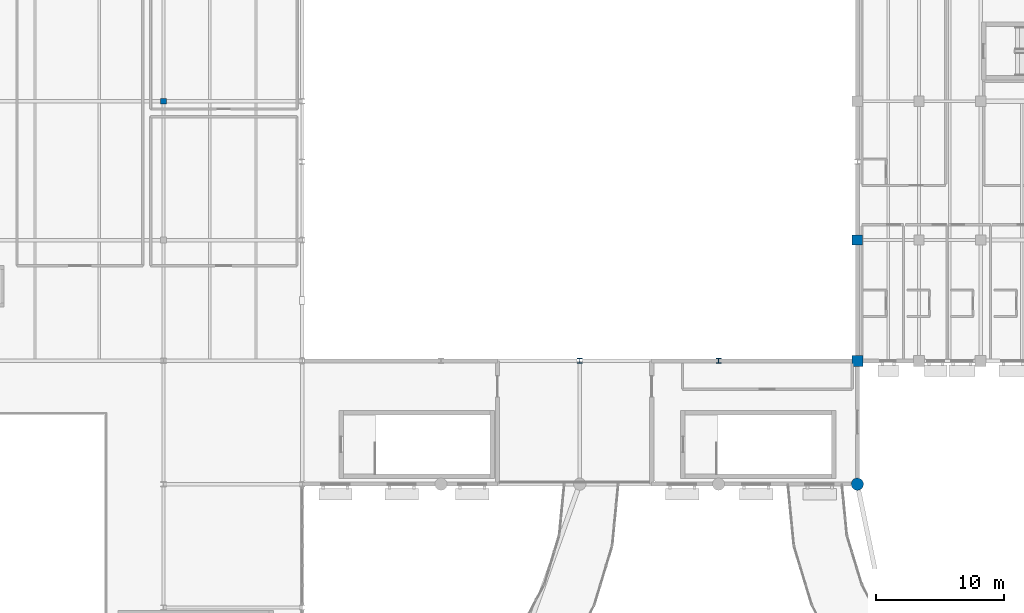
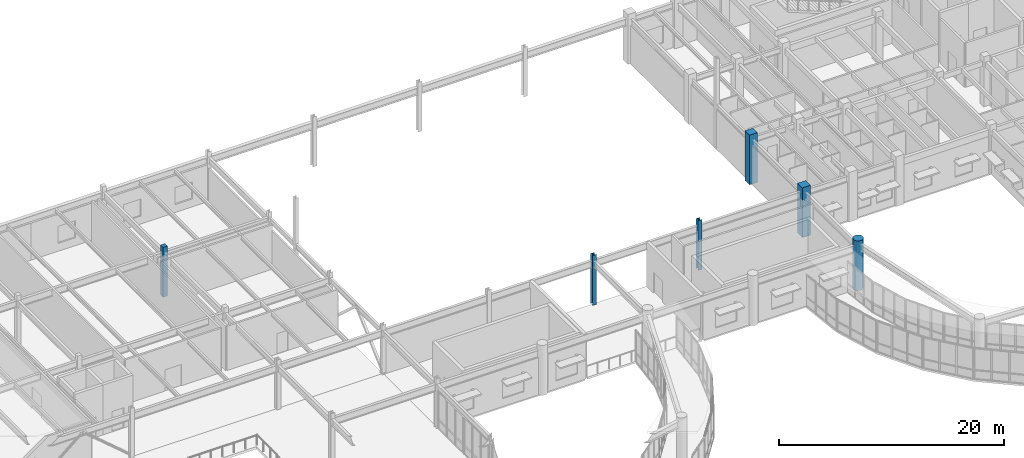
# One storey, part 7 of 68: 6 columns.
"""IFC4 building model written with IfcOpenShell, lengths in metres."""

from ifc_helpers import new_model, si_unit, direction, frame, origin, origin_2d, place, context, subcontext, project, spatial, rectangle, circle, i_section, extrude, material, material_profile, profile_set, type_object, element, save


model = new_model("IFC4")

# Units and contexts
model_context = context("Model", 3, precision=1e-05, world=origin(), true_north=direction((0.0, 1.0)))
body_context = subcontext(model_context, "Body", "Model", "MODEL_VIEW")
ifc_project = project(units=[si_unit("LENGTHUNIT", "METRE"), si_unit("AREAUNIT", "SQUARE_METRE"), si_unit("VOLUMEUNIT", "CUBIC_METRE"), si_unit("PLANEANGLEUNIT", "RADIAN"), si_unit("MASSUNIT", "GRAM", prefix="KILO")], contexts=[model_context])

# Site, building, storey
site_placement = place(None, origin())
site = spatial("IfcSite", under=ifc_project, at=site_placement, CompositionType="ELEMENT")
building_placement = place(site_placement, origin())
building = spatial("IfcBuilding", under=site, at=building_placement, Name="Veldera Park Congress Hotel", CompositionType="ELEMENT")
storey_placement = place(building_placement, frame((0.0, 0.0, 10.800048828125)))
storey = spatial("IfcBuildingStorey", under=building, at=storey_placement, Name="L02", CompositionType="ELEMENT", Elevation=10.800048828125)

# Columns
ifc_material_1 = material(Name="Glulam GL28h (NDS 24F-V4)", Category="wood")
ifc_material_profile_1 = material_profile(ifc_material_1, rectangle(XDim=0.449951171875, YDim=0.449951171875, at=origin_2d()), Name="GL28h 450x450")
ifc_profile_set_1 = profile_set([ifc_material_profile_1], Name="Glulam GL28h (NDS 24F-V4)")
column_type_1 = type_object("IfcColumnType", Name="COL-GL42E", PredefinedType="COLUMN", material=ifc_profile_set_1)
column_1_placement = place(storey_placement, frame((-12.39990234375, 47.199951171875, 0.0), z_axis=(0.0, 0.0, 1.0), x_axis=(1.0, 0.0, 0.0)))
element("IfcColumn", 1, at=column_1_placement, inside=storey, type_object=column_type_1, Name="L02 Column COL-GL42E (-12.4,47.2)", PredefinedType="COLUMN", context=body_context, shape_type="SweptSolid", body=[
    extrude(rectangle(XDim=0.449951171875, YDim=0.449951171875, at=origin_2d()), origin(), (0.0, 0.0, 1.0), 5.39990234375),
])
ifc_material_2 = material(Name="Concrete f'c 50 MPa (7,250 psi)", Category="concrete")
ifc_material_profile_2 = material_profile(ifc_material_2, rectangle(XDim=0.800048828125, YDim=0.800048828125, at=origin_2d()), Name="RC 800x800")
ifc_profile_set_2 = profile_set([ifc_material_profile_2], Name="Concrete f'c 50 MPa (7,250 psi)")
column_type_2 = type_object("IfcColumnType", Name="COL-RC80", PredefinedType="COLUMN", material=ifc_profile_set_2)
column_2_placement = place(storey_placement, frame((41.60009765625, 36.39990234375, 0.0), z_axis=(0.0, 0.0, 1.0), x_axis=(1.0, 0.0, 0.0)))
element("IfcColumn", 2, at=column_2_placement, inside=storey, type_object=column_type_2, Name="L02 Column COL-RC80 (41.6,36.4)", PredefinedType="COLUMN", context=body_context, shape_type="SweptSolid", body=[
    extrude(rectangle(XDim=0.800048828125, YDim=0.800048828125, at=origin_2d()), origin(), (0.0, 0.0, 1.0), 5.39990234375),
])
ifc_material_profile_3 = material_profile(ifc_material_2, rectangle(XDim=0.85009765625, YDim=0.85009765625, at=origin_2d()), Name="RC 850x850")
ifc_profile_set_3 = profile_set([ifc_material_profile_3], Name="Concrete f'c 50 MPa (7,250 psi)")
column_type_3 = type_object("IfcColumnType", Name="COL-RC80E", PredefinedType="COLUMN", material=ifc_profile_set_3)
column_3_placement = place(storey_placement, frame((41.60009765625, 27.0, 0.0), z_axis=(0.0, 0.0, 1.0), x_axis=(1.0, 0.0, 0.0)))
element("IfcColumn", 3, at=column_3_placement, inside=storey, type_object=column_type_3, Name="L02 Column COL-RC80E (41.6,27.0)", PredefinedType="COLUMN", context=body_context, shape_type="SweptSolid", body=[
    extrude(rectangle(XDim=0.85009765625, YDim=0.85009765625, at=origin_2d()), origin(), (0.0, 0.0, 1.0), 5.39990234375),
])
ifc_material_profile_4 = material_profile(ifc_material_2, circle(Radius=0.47509765625, at=origin_2d()), Name="RC D950")
ifc_profile_set_4 = profile_set([ifc_material_profile_4], Name="Concrete f'c 50 MPa (7,250 psi)")
column_type_4 = type_object("IfcColumnType", Name="COL-RCD90E", PredefinedType="COLUMN", material=ifc_profile_set_4)
column_4_placement = place(storey_placement, frame((41.60009765625, 17.39990234375, 0.0), z_axis=(0.0, 0.0, 1.0), x_axis=(1.0, 0.0, 0.0)))
element("IfcColumn", 4, at=column_4_placement, inside=storey, type_object=column_type_4, Name="L02 Column COL-RCD90E (41.6,17.4)", PredefinedType="COLUMN", context=body_context, shape_type="SweptSolid", body=[
    extrude(circle(Radius=0.47509765625, at=origin_2d()), origin(), (0.0, 0.0, 1.0), 5.39990234375),
])
ifc_material_3 = material(Name="Steel ASTM A992 Gr.50", Category="steel")
ifc_material_profile_5 = material_profile(ifc_material_3, i_section(OverallWidth=0.39697265625, OverallDepth=0.386962890625, WebThickness=0.02099609375, FlangeThickness=0.033203125, at=origin_2d()), Name="W14X176")
ifc_profile_set_5 = profile_set([ifc_material_profile_5], Name="Steel ASTM A992 Gr.50")
column_type_5 = type_object("IfcColumnType", Name="COL-STL176", PredefinedType="COLUMN", material=ifc_profile_set_5)
for number, where, z_axis, x_axis, name in (
    (5, (20.0, 27.0, 0.0), (0.0, 0.0, 1.0), (1.0, 0.0, 0.0), "L02 Column COL-STL176 (20.0,27.0)"),
    (6, (30.800048828125, 27.0, 0.0), (0.0, 0.0, 1.0), (1.0, 0.0, 0.0), "L02 Column COL-STL176 (30.8,27.0)"),
):
    element("IfcColumn", number, at=place(storey_placement, frame(where, z_axis=z_axis, x_axis=x_axis)), inside=storey, type_object=column_type_5, Name=name, PredefinedType="COLUMN", context=body_context, shape_type="SweptSolid", body=[
        extrude(i_section(OverallWidth=0.39697265625, OverallDepth=0.386962890625, WebThickness=0.02099609375, FlangeThickness=0.033203125, at=origin_2d()), origin(), (0.0, 0.0, 1.0), 5.39990234375),
    ])

save(model, "model.ifc")
